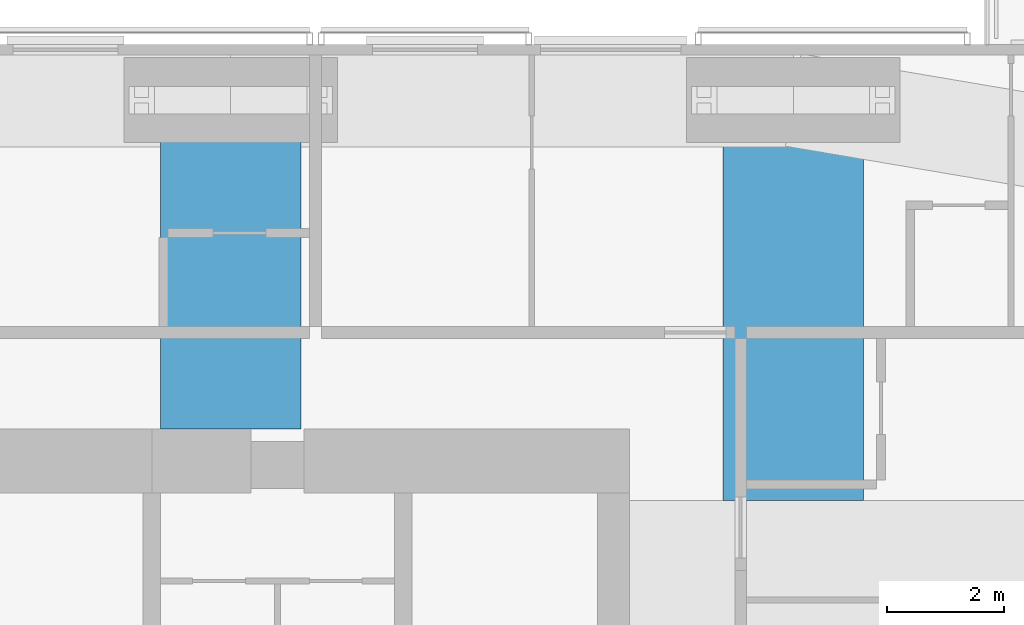
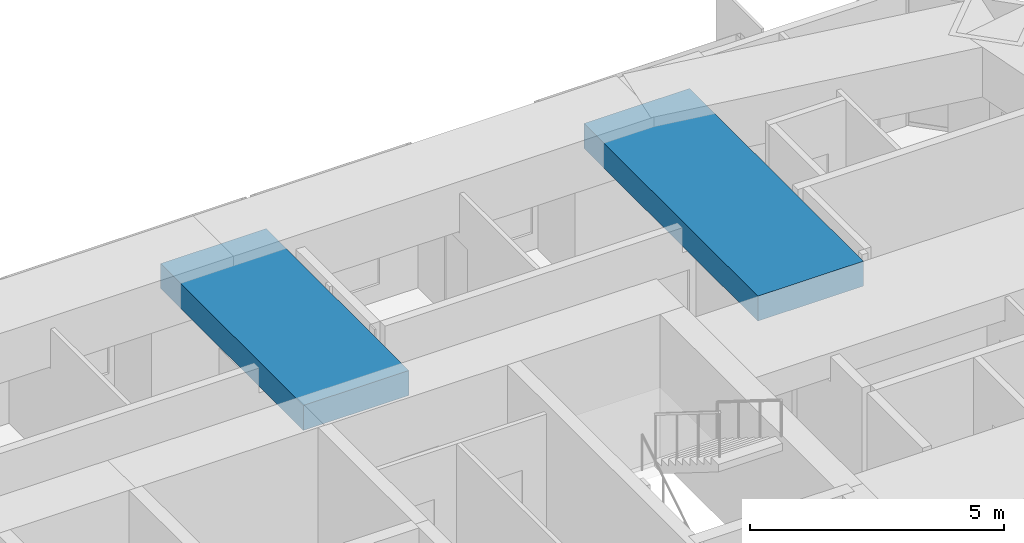
# One storey, part 7 of 19: 2 beams.
"""IFC4 building model written with IfcOpenShell, lengths in metres."""

from ifc_helpers import new_model, si_unit, direction, frame, origin, origin_2d, place, context, subcontext, project, spatial, rectangle, extrude, material, material_profile, profile_set, type_object, element, save


model = new_model("IFC4")

# Units and contexts
model_context = context("Model", 3, precision=1e-05, world=origin(), true_north=direction((0.0, 1.0)))
body_context = subcontext(model_context, "Body", "Model", "MODEL_VIEW")
ifc_project = project(units=[si_unit("LENGTHUNIT", "METRE"), si_unit("AREAUNIT", "SQUARE_METRE"), si_unit("VOLUMEUNIT", "CUBIC_METRE"), si_unit("PLANEANGLEUNIT", "RADIAN"), si_unit("MASSUNIT", "GRAM", prefix="KILO")], contexts=[model_context])

# Site, building, storey
site_placement = place(None, origin())
site = spatial("IfcSite", under=ifc_project, at=site_placement, CompositionType="ELEMENT")
building_placement = place(site_placement, origin())
building = spatial("IfcBuilding", under=site, at=building_placement, Name="Jalousie Tower", CompositionType="ELEMENT")
storey_placement = place(building_placement, frame((0.0, 0.0, 221.449951171875)))
storey = spatial("IfcBuildingStorey", under=building, at=storey_placement, Name="L60", CompositionType="ELEMENT", Elevation=221.449951171875)

# Beams
ifc_material = material(Name="Concrete f'c 40 MPa", Category="concrete")
ifc_material_profile = material_profile(ifc_material, rectangle(XDim=2.39990234375, YDim=0.60009765625, at=origin_2d()), Name="RC 2400x600")
ifc_profile_set = profile_set([ifc_material_profile], Name="Concrete f'c 40 MPa")
beam_type = type_object("IfcBeamType", Name="RC BEAM 2400x600", PredefinedType="BEAM", material=ifc_profile_set)
beam_1_placement = place(storey_placement, frame((37.25, 33.050048828125, 2.9599609375), z_axis=(0.0, -1.0, 0.0), x_axis=(1.0, 0.0, 0.0)))
element("IfcBeam", 1, at=beam_1_placement, inside=storey, type_object=beam_type, Name="Floor band beam under L61", PredefinedType="BEAM", context=body_context, shape_type="SweptSolid", body=[
    extrude(rectangle(XDim=2.39990234375, YDim=0.60009765625, at=origin_2d()), origin(), (0.0, 0.0, 1.0), 5.625),
])
beam_2_placement = place(storey_placement, frame((46.875, 33.050048828125, 2.9599609375), z_axis=(0.0, -1.0, 0.0), x_axis=(1.0, 0.0, 0.0)))
element("IfcBeam", 2, at=beam_2_placement, inside=storey, type_object=beam_type, Name="Floor band beam under L61", PredefinedType="BEAM", context=body_context, shape_type="SweptSolid", body=[
    extrude(rectangle(XDim=2.39990234375, YDim=0.60009765625, at=origin_2d()), origin(), (0.0, 0.0, 1.0), 6.85009765625),
])

save(model, "model.ifc")
